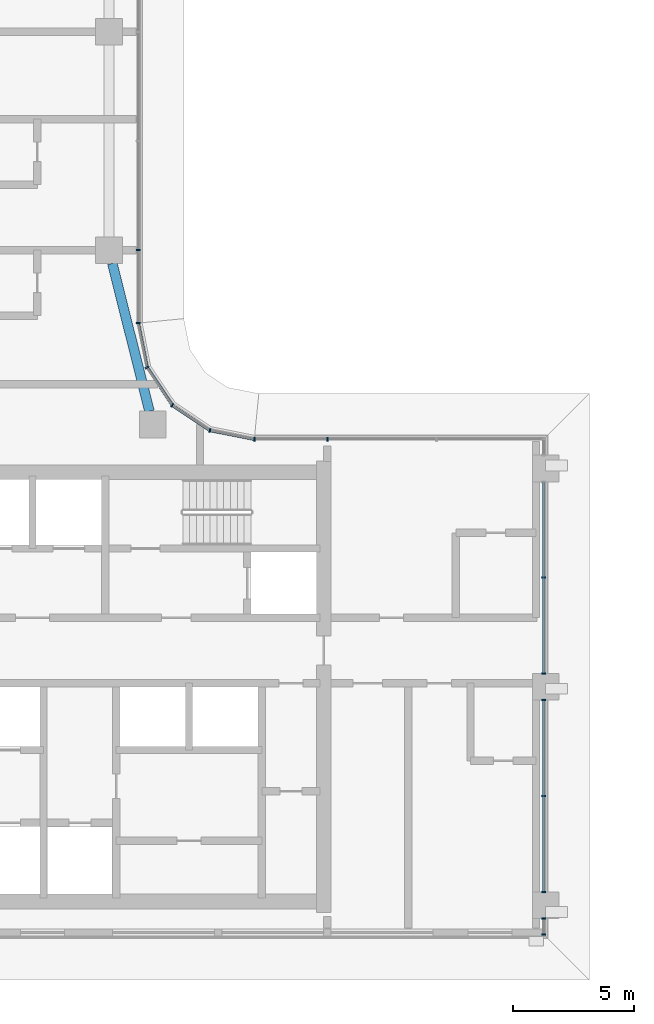
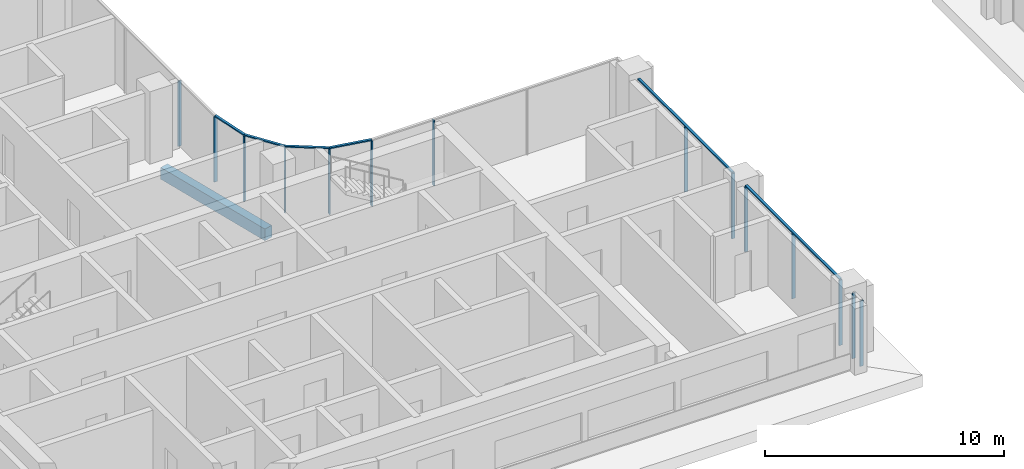
# One storey, part 2 of 27: 20 members, 1 beam, 6 elements without a shape of their own.
"""IFC4 building model written with IfcOpenShell, lengths in metres."""

import ifcopenshell
import ifcopenshell.guid

model = None  # the IFC model being written
_history = None  # IfcOwnerHistory: only IFC2X3 demands one
_inside = {}  # id of a spatial element -> (the spatial element, [elements in it])
_under = {}  # id of a project, library or spatial element -> (it, [spatial elements below it])
_declared = {}  # id of a project -> (the project, [libraries it declares])
_typed = {}  # id of a type object -> (the type object, [elements of that type])
_made_of = {}  # id of a material, layer set ... -> (it, [elements and type objects made of it])


def new_model(schema):
    """Start an empty IFC model of exactly this schema.

    Asked for "IFC4X3", IfcOpenShell would pick the latest addendum, in which some entities
    have other attributes; the version numbers below select the first issue.
    IFC2X3 requires an IfcOwnerHistory on every rooted entity: one is made here for all.
    """
    global model, _history
    if schema == "IFC4X3":
        model = ifcopenshell.file(schema_version=(4, 3, 0, 0))
    else:
        model = ifcopenshell.file(schema=schema)
    _inside.clear()
    _under.clear()
    _declared.clear()
    _typed.clear()
    _made_of.clear()
    _history = None
    if model.schema == "IFC2X3":
        org = make("IfcOrganization", Name="unknown")
        user = make(
            "IfcPersonAndOrganization",
            ThePerson=make("IfcPerson", FamilyName="unknown"),
            TheOrganization=org,
        )
        app = make(
            "IfcApplication",
            ApplicationDeveloper=org,
            Version="unknown",
            ApplicationFullName="unknown",
            ApplicationIdentifier="unknown",
        )
        _history = make(
            "IfcOwnerHistory",
            OwningUser=user,
            OwningApplication=app,
            ChangeAction="ADDED",
            CreationDate=0,
        )
    return model


def make(cls, **values):
    """One entity of the class cls with the attributes given. An attribute that is None is left unset."""
    return model.create_entity(
        cls, **{name: value for name, value in values.items() if value is not None}
    )


def rooted(cls, **values):
    """An entity with a GlobalId (a new one), such as an element, a storey or a relation."""
    return make(cls, GlobalId=ifcopenshell.guid.new(), OwnerHistory=_history, **values)


def si_unit(unit_type, name, prefix=None):
    """IfcSIUnit, for example si_unit("LENGTHUNIT", "METRE", prefix="MILLI")."""
    return make("IfcSIUnit", UnitType=unit_type, Prefix=prefix, Name=name)


def assignment(units):
    """IfcUnitAssignment: the units of a project."""
    return None if units is None else make("IfcUnitAssignment", Units=units)


def point(xyz):
    """IfcCartesianPoint."""
    return None if xyz is None else make("IfcCartesianPoint", Coordinates=xyz)


def direction(xyz):
    """IfcDirection."""
    return None if xyz is None else make("IfcDirection", DirectionRatios=xyz)


def frame(location, z_axis=None, x_axis=None):
    """IfcAxis2Placement3D, a coordinate frame: its origin and axes. An axis left out is left unset."""
    return make(
        "IfcAxis2Placement3D",
        Location=point(location),
        Axis=direction(z_axis),
        RefDirection=direction(x_axis),
    )


def frame_2d(location, x_axis=None):
    """IfcAxis2Placement2D, a coordinate frame in the plane: its origin and x axis."""
    return make(
        "IfcAxis2Placement2D", Location=point(location), RefDirection=direction(x_axis)
    )


def origin():
    """The frame at (0, 0, 0) with its axes left unset."""
    return frame((0.0, 0.0, 0.0))


def origin_2d():
    """The frame at (0, 0) in the plane with its x axis left unset."""
    return frame_2d((0.0, 0.0))


def place(relative_to, where):
    """IfcLocalPlacement: puts the frame where relative to a parent placement (None: the world)."""
    return make(
        "IfcLocalPlacement", PlacementRelTo=relative_to, RelativePlacement=where
    )


def context(
    kind, dimensions, precision=None, world=None, true_north=None, identifier=None
):
    """IfcGeometricRepresentationContext, for example the 3D "Model" context."""
    return make(
        "IfcGeometricRepresentationContext",
        ContextIdentifier=identifier,
        ContextType=kind,
        CoordinateSpaceDimension=dimensions,
        Precision=precision,
        WorldCoordinateSystem=world,
        TrueNorth=true_north,
    )


def subcontext(parent, identifier, kind, view, scale=None):
    """IfcGeometricRepresentationSubContext, for example "Body" below "Model"."""
    return make(
        "IfcGeometricRepresentationSubContext",
        ContextIdentifier=identifier,
        ContextType=kind,
        ParentContext=parent,
        TargetScale=scale,
        TargetView=view,
    )


def project(units=None, contexts=None):
    """IfcProject with its units and contexts."""
    return rooted(
        "IfcProject",
        Name="project",
        RepresentationContexts=contexts,
        UnitsInContext=assignment(units),
    )


def spatial(cls, under=None, at=None, **own):
    """A site, building, storey or space (cls), placed at a placement, below another one or the project."""
    s = rooted(cls, ObjectPlacement=at, **own)
    if under is not None:
        _under.setdefault(under.id(), (under, []))[1].append(s)
    return s


def profile(cls, at=None, kind="AREA", **sizes):
    """A parametric profile (cls). Its sizes go by their IFC names, for example OverallWidth=200.0."""
    return make(cls, ProfileType=kind, Position=at, **sizes)


def rectangle(**sizes):
    """IfcRectangleProfileDef."""
    return profile("IfcRectangleProfileDef", **sizes)


def extrude(swept, where, along, depth):
    """IfcExtrudedAreaSolid: the profile swept, set in the frame where, extruded along a direction by depth."""
    return make(
        "IfcExtrudedAreaSolid",
        SweptArea=swept,
        Position=where,
        ExtrudedDirection=direction(along),
        Depth=depth,
    )


def shape(context_of_items, identifier, shape_type, items):
    """IfcShapeRepresentation: the items that make up one representation, for example the "Body"."""
    return make(
        "IfcShapeRepresentation",
        ContextOfItems=context_of_items,
        RepresentationIdentifier=identifier,
        RepresentationType=shape_type,
        Items=items,
    )


def material(Name=None, Category=None):
    """IfcMaterial."""
    return make("IfcMaterial", Name=Name, Category=Category)


def material_profile(
    of_material, cross_section, Name=None, Category=None, Priority=None
):
    """IfcMaterialProfile: a cross section and its material."""
    return make(
        "IfcMaterialProfile",
        Name=Name,
        Material=of_material,
        Profile=cross_section,
        Priority=Priority,
        Category=Category,
    )


def profile_set(profiles, Name=None, composite=None):
    """IfcMaterialProfileSet."""
    return make(
        "IfcMaterialProfileSet",
        Name=Name,
        MaterialProfiles=profiles,
        CompositeProfile=composite,
    )


def made_of(thing, what):
    """Note that an element or type object is made of a material, layer set ...; save() writes the relation."""
    if what is not None:
        _made_of.setdefault(what.id(), (what, []))[1].append(thing)
    return thing


def type_object(cls, material=None, **own):
    """A type object (cls), such as IfcWallType, which elements share."""
    return made_of(rooted(cls, **own), material)


def element(
    cls,
    number,
    at=None,
    inside=None,
    cuts=None,
    type_object=None,
    material=None,
    context=None,
    identifier="Body",
    shape_type=None,
    held_by="IfcProductDefinitionShape",
    body=None,
    shapes=None,
    **own,
):
    """One element of the class cls, such as IfcWall. Its Tag is "e" and its number.

    at: its placement. inside: the storey or other place that contains it. cuts: it is an
    opening in that element (IfcRelVoidsElement). A single representation is given by context,
    identifier, shape_type and body (its items); several are given by shapes. held_by: the class
    of the entity that holds the representations. save() writes the other relations.
    """
    e = rooted(cls, Tag="e%d" % number, ObjectPlacement=at, **own)
    if body is not None:
        shapes = [shape(context, identifier, shape_type, body)]
    if shapes is not None:
        e.Representation = make(held_by, Representations=shapes)
    if inside is not None:
        _inside.setdefault(inside.id(), (inside, []))[1].append(e)
    if cuts is not None:
        rooted(
            "IfcRelVoidsElement", RelatingBuildingElement=cuts, RelatedOpeningElement=e
        )
    if type_object is not None:
        _typed.setdefault(type_object.id(), (type_object, []))[1].append(e)
    return made_of(e, material)


def aggregate(whole, parts):
    """IfcRelAggregates: a whole, such as a stair, and the parts it consists of."""
    return rooted("IfcRelAggregates", RelatingObject=whole, RelatedObjects=parts)


def save(model, path):
    """Write the relations noted so far, then the file.

    IfcRelAggregates (storeys below a building ...), IfcRelContainedInSpatialStructure (elements
    in a storey), IfcRelDefinesByType, IfcRelAssociatesMaterial and IfcRelDeclares: one each for
    every whole, place, type object, material and project.
    """
    for whole, parts in _under.values():
        aggregate(whole, parts)
    for where, things in _inside.values():
        rooted(
            "IfcRelContainedInSpatialStructure",
            RelatedElements=things,
            RelatingStructure=where,
        )
    for kind, things in _typed.values():
        rooted("IfcRelDefinesByType", RelatedObjects=things, RelatingType=kind)
    for what, things in _made_of.values():
        rooted("IfcRelAssociatesMaterial", RelatedObjects=things, RelatingMaterial=what)
    for by, libraries in _declared.values():
        rooted("IfcRelDeclares", RelatingContext=by, RelatedDefinitions=libraries)
    model.write(path)


model = new_model("IFC4")

# Units and contexts
model_context = context("Model", 3, precision=1e-05, world=origin(), true_north=direction((0.0, 1.0)))
body_context = subcontext(model_context, "Body", "Model", "MODEL_VIEW")
ifc_project = project(units=[si_unit("LENGTHUNIT", "METRE"), si_unit("AREAUNIT", "SQUARE_METRE"), si_unit("VOLUMEUNIT", "CUBIC_METRE"), si_unit("PLANEANGLEUNIT", "RADIAN"), si_unit("MASSUNIT", "GRAM", prefix="KILO")], contexts=[model_context])

# Site, building, storey
site_placement = place(None, origin())
site = spatial("IfcSite", under=ifc_project, at=site_placement, CompositionType="ELEMENT")
building_placement = place(site_placement, origin())
building = spatial("IfcBuilding", under=site, at=building_placement, Name="Ogive Portal Towers", CompositionType="ELEMENT")
storey_placement = place(building_placement, frame((0.0, 0.0, 160.699951171875)))
storey = spatial("IfcBuildingStorey", under=building, at=storey_placement, Name="L39", CompositionType="ELEMENT", Elevation=160.699951171875)

# Curtain wall, members
ifc_material_1 = material(Name="Glass, clear low-iron insulated glazing", Category="glass")
curtain_wall_type_1 = type_object("IfcCurtainWallType", Name="CW PORTAL REVEAL", PredefinedType="NOTDEFINED", material=ifc_material_1)
curtain_wall_1_placement = place(storey_placement, origin())
curtain_wall_1 = element("IfcCurtainWall", 1, at=curtain_wall_1_placement, inside=storey, type_object=curtain_wall_type_1, Name="A:L39:f06:cw0~0", PredefinedType="NOTDEFINED")
ifc_material_2 = material(Name="Aluminium 6063 anodised", Category="aluminium")
ifc_material_profile_1 = material_profile(ifc_material_2, rectangle(XDim=0.159912109375, YDim=0.06005859375, at=origin_2d()), Name="AL 60x160")
ifc_profile_set_1 = profile_set([ifc_material_profile_1], Name="Aluminium 6063 anodised")
member_type_1 = type_object("IfcMemberType", Name="CW MULLION 60x160", PredefinedType="MULLION", material=ifc_profile_set_1)
member_1_placement = place(storey_placement, frame((67.419921875, 20.294921875, 0.0), z_axis=(0.0, 0.0, 1.0), x_axis=(-1.0, 0.0, 0.0)))
member_1 = element("IfcMember", 2, at=member_1_placement, type_object=member_type_1, Name="mullion", PredefinedType="MULLION", context=body_context, shape_type="SweptSolid", body=[
    extrude(rectangle(XDim=0.159912109375, YDim=0.06005859375, at=origin_2d()), origin(), (0.0, 0.0, 1.0), 3.340087890625),
])
member_2_placement = place(storey_placement, frame((67.419921875, 20.949951171875, 0.0), z_axis=(0.0, 0.0, 1.0), x_axis=(-1.0, 0.0, 0.0)))
member_2 = element("IfcMember", 3, at=member_2_placement, type_object=member_type_1, Name="mullion", PredefinedType="MULLION", context=body_context, shape_type="SweptSolid", body=[
    extrude(rectangle(XDim=0.159912109375, YDim=0.06005859375, at=origin_2d()), origin(), (0.0, 0.0, 1.0), 3.340087890625),
])
aggregate(curtain_wall_1, [member_1, member_2])

curtain_wall_2_placement = place(storey_placement, origin())
curtain_wall_2 = element("IfcCurtainWall", 4, at=curtain_wall_2_placement, inside=storey, type_object=curtain_wall_type_1, Name="A:L39:f06:cw0~1", PredefinedType="NOTDEFINED")
member_3_placement = place(storey_placement, frame((67.419921875, 22.050048828125, 0.0), z_axis=(0.0, 0.0, 1.0), x_axis=(-1.0, 0.0, 0.0)))
member_3 = element("IfcMember", 5, at=member_3_placement, type_object=member_type_1, Name="mullion", PredefinedType="MULLION", context=body_context, shape_type="SweptSolid", body=[
    extrude(rectangle(XDim=0.159912109375, YDim=0.06005859375, at=origin_2d()), origin(), (0.0, 0.0, 1.0), 3.340087890625),
])
member_4_placement = place(storey_placement, frame((67.419921875, 26.0, 0.0), z_axis=(0.0, 0.0, 1.0), x_axis=(-1.0, 0.0, 0.0)))
member_4 = element("IfcMember", 6, at=member_4_placement, type_object=member_type_1, Name="mullion", PredefinedType="MULLION", context=body_context, shape_type="SweptSolid", body=[
    extrude(rectangle(XDim=0.159912109375, YDim=0.06005859375, at=origin_2d()), origin(), (0.0, 0.0, 1.0), 3.340087890625),
])
member_5_placement = place(storey_placement, frame((67.419921875, 29.949951171875, 0.0), z_axis=(0.0, 0.0, 1.0), x_axis=(-1.0, 0.0, 0.0)))
member_5 = element("IfcMember", 7, at=member_5_placement, type_object=member_type_1, Name="mullion", PredefinedType="MULLION", context=body_context, shape_type="SweptSolid", body=[
    extrude(rectangle(XDim=0.159912109375, YDim=0.06005859375, at=origin_2d()), origin(), (0.0, 0.0, 1.0), 3.340087890625),
])

curtain_wall_3_placement = place(storey_placement, origin())
curtain_wall_3 = element("IfcCurtainWall", 8, at=curtain_wall_3_placement, inside=storey, type_object=curtain_wall_type_1, Name="A:L39:f06:cw0~2", PredefinedType="NOTDEFINED")
member_6_placement = place(storey_placement, frame((67.419921875, 31.050048828125, 0.0), z_axis=(0.0, 0.0, 1.0), x_axis=(-1.0, 0.0, 0.0)))
member_6 = element("IfcMember", 9, at=member_6_placement, type_object=member_type_1, Name="mullion", PredefinedType="MULLION", context=body_context, shape_type="SweptSolid", body=[
    extrude(rectangle(XDim=0.159912109375, YDim=0.06005859375, at=origin_2d()), origin(), (0.0, 0.0, 1.0), 3.340087890625),
])
member_7_placement = place(storey_placement, frame((67.419921875, 35.0, 0.0), z_axis=(0.0, 0.0, 1.0), x_axis=(-1.0, 0.0, 0.0)))
member_7 = element("IfcMember", 10, at=member_7_placement, type_object=member_type_1, Name="mullion", PredefinedType="MULLION", context=body_context, shape_type="SweptSolid", body=[
    extrude(rectangle(XDim=0.159912109375, YDim=0.06005859375, at=origin_2d()), origin(), (0.0, 0.0, 1.0), 3.340087890625),
])

curtain_wall_type_2 = type_object("IfcCurtainWallType", Name="CW FRONT RIBBON 4500", PredefinedType="NOTDEFINED", material=ifc_material_1)
curtain_wall_4_placement = place(storey_placement, origin())
curtain_wall_4 = element("IfcCurtainWall", 11, at=curtain_wall_4_placement, inside=storey, type_object=curtain_wall_type_2, Name="A:L39:f07:cw0", PredefinedType="NOTDEFINED")
member_8_placement = place(storey_placement, frame((58.5, 40.705078125, 0.0), z_axis=(0.0, 0.0, 1.0), x_axis=(0.0, -1.0, 0.0)))
member_8 = element("IfcMember", 12, at=member_8_placement, type_object=member_type_1, Name="mullion", PredefinedType="MULLION", context=body_context, shape_type="SweptSolid", body=[
    extrude(rectangle(XDim=0.159912109375, YDim=0.06005859375, at=origin_2d()), origin(), (0.0, 0.0, 1.0), 3.340087890625),
])
member_9_placement = place(storey_placement, frame((55.4921875, 40.705078125, 0.0), z_axis=(0.0, 0.0, 1.0), x_axis=(0.0, -1.0, 0.0)))
member_9 = element("IfcMember", 13, at=member_9_placement, type_object=member_type_1, Name="mullion", PredefinedType="MULLION", context=body_context, shape_type="SweptSolid", body=[
    extrude(rectangle(XDim=0.159912109375, YDim=0.06005859375, at=origin_2d()), origin(), (0.0, 0.0, 1.0), 3.340087890625),
])
aggregate(curtain_wall_4, [member_8, member_9])

curtain_wall_5_placement = place(storey_placement, origin())
curtain_wall_5 = element("IfcCurtainWall", 14, at=curtain_wall_5_placement, inside=storey, type_object=curtain_wall_type_2, Name="A:L39:f12:cw0", PredefinedType="NOTDEFINED")
member_10_placement = place(storey_placement, frame((50.705078125, 45.4921875, 0.0), z_axis=(0.0, 0.0, 1.0), x_axis=(-1.0, 0.0, 0.0)))
member_10 = element("IfcMember", 15, at=member_10_placement, type_object=member_type_1, Name="mullion", PredefinedType="MULLION", context=body_context, shape_type="SweptSolid", body=[
    extrude(rectangle(XDim=0.159912109375, YDim=0.06005859375, at=origin_2d()), origin(), (0.0, 0.0, 1.0), 3.340087890625),
])
member_11_placement = place(storey_placement, frame((50.705078125, 48.5, 0.0), z_axis=(0.0, 0.0, 1.0), x_axis=(-1.0, 0.0, 0.0)))
member_11 = element("IfcMember", 16, at=member_11_placement, type_object=member_type_1, Name="mullion", PredefinedType="MULLION", context=body_context, shape_type="SweptSolid", body=[
    extrude(rectangle(XDim=0.159912109375, YDim=0.06005859375, at=origin_2d()), origin(), (0.0, 0.0, 1.0), 3.340087890625),
])
aggregate(curtain_wall_5, [member_10, member_11])

curtain_wall_6_placement = place(storey_placement, origin())
curtain_wall_6 = element("IfcCurtainWall", 17, at=curtain_wall_6_placement, inside=storey, type_object=curtain_wall_type_2, Name="A:L39:f08:cwa", PredefinedType="NOTDEFINED")
member_12_placement = place(storey_placement, frame((53.66455078125, 41.068603515625, 0.0), z_axis=(0.0, 0.0, 1.0), x_axis=(-0.195090322016, -0.980785280403, 0.0)))
member_12 = element("IfcMember", 18, at=member_12_placement, type_object=member_type_1, Name="mullion", PredefinedType="MULLION", context=body_context, shape_type="SweptSolid", body=[
    extrude(rectangle(XDim=0.159912109375, YDim=0.06005859375, at=origin_2d()), origin(), (0.0, 0.0, 1.0), 3.340087890625),
])
member_13_placement = place(storey_placement, frame((52.1083984375, 42.1083984375, 0.0), z_axis=(0.0, 0.0, 1.0), x_axis=(-0.55557023302, -0.831469612303, 0.0)))
member_13 = element("IfcMember", 19, at=member_13_placement, type_object=member_type_1, Name="mullion", PredefinedType="MULLION", context=body_context, shape_type="SweptSolid", body=[
    extrude(rectangle(XDim=0.159912109375, YDim=0.06005859375, at=origin_2d()), origin(), (0.0, 0.0, 1.0), 3.340087890625),
])
member_14_placement = place(storey_placement, frame((51.068603515625, 43.66455078125, 0.0), z_axis=(0.0, 0.0, 1.0), x_axis=(-0.831469612303, -0.55557023302, 0.0)))
member_14 = element("IfcMember", 20, at=member_14_placement, type_object=member_type_1, Name="mullion", PredefinedType="MULLION", context=body_context, shape_type="SweptSolid", body=[
    extrude(rectangle(XDim=0.159912109375, YDim=0.06005859375, at=origin_2d()), origin(), (0.0, 0.0, 1.0), 3.340087890625),
])

# Member
ifc_material_profile_2 = material_profile(ifc_material_2, rectangle(XDim=0.1201171875, YDim=0.06005859375, at=origin_2d()), Name="AL 120x60")
ifc_profile_set_2 = profile_set([ifc_material_profile_2], Name="Aluminium 6063 anodised")
member_type_2 = type_object("IfcMemberType", Name="CW TRANSOM 60x120", PredefinedType="USERDEFINED", material=ifc_profile_set_2)
member_15_placement = place(storey_placement, frame((67.419921875, 22.050048828125, 3.3701171875), z_axis=(0.0, 1.0, 0.0), x_axis=(-1.0, 0.0, 0.0)))
member_15 = element("IfcMember", 21, at=member_15_placement, type_object=member_type_2, Name="transom", ObjectType="TRANSOM", PredefinedType="USERDEFINED", context=body_context, shape_type="SweptSolid", body=[
    extrude(rectangle(XDim=0.1201171875, YDim=0.06005859375, at=origin_2d()), origin(), (0.0, 0.0, 1.0), 7.89990234375),
])

aggregate(curtain_wall_2, [member_15, member_3, member_4, member_5])

member_16_placement = place(storey_placement, frame((67.419921875, 31.050048828125, 3.3701171875), z_axis=(0.0, 1.0, 0.0), x_axis=(-1.0, 0.0, 0.0)))
member_16 = element("IfcMember", 22, at=member_16_placement, type_object=member_type_2, Name="transom", ObjectType="TRANSOM", PredefinedType="USERDEFINED", context=body_context, shape_type="SweptSolid", body=[
    extrude(rectangle(XDim=0.1201171875, YDim=0.06005859375, at=origin_2d()), origin(), (0.0, 0.0, 1.0), 7.89990234375),
])

aggregate(curtain_wall_3, [member_16, member_6, member_7])

member_17_placement = place(storey_placement, frame((55.4921875, 40.705078125, 3.3701171875), z_axis=(-0.980786733923, 0.195083014535, 0.0), x_axis=(-0.195083014535, -0.980786733923, 0.0)))
member_17 = element("IfcMember", 23, at=member_17_placement, type_object=member_type_2, Name="transom", ObjectType="TRANSOM", PredefinedType="USERDEFINED", context=body_context, shape_type="SweptSolid", body=[
    extrude(rectangle(XDim=0.1201171875, YDim=0.06005859375, at=origin_2d()), origin(), (0.0, 0.0, 1.0), 1.863525390625),
])

member_18_placement = place(storey_placement, frame((53.66455078125, 41.068603515625, 3.3701171875), z_axis=(-0.831467842992, 0.55557288097, 0.0), x_axis=(-0.55557288097, -0.831467842992, 0.0)))
member_18 = element("IfcMember", 24, at=member_18_placement, type_object=member_type_2, Name="transom", ObjectType="TRANSOM", PredefinedType="USERDEFINED", context=body_context, shape_type="SweptSolid", body=[
    extrude(rectangle(XDim=0.1201171875, YDim=0.06005859375, at=origin_2d()), origin(), (0.0, 0.0, 1.0), 1.87158203125),
])

member_19_placement = place(storey_placement, frame((52.1083984375, 42.1083984375, 3.3701171875), z_axis=(-0.55557288097, 0.831467842992, 0.0), x_axis=(-0.831467842992, -0.55557288097, 0.0)))
member_19 = element("IfcMember", 25, at=member_19_placement, type_object=member_type_2, Name="transom", ObjectType="TRANSOM", PredefinedType="USERDEFINED", context=body_context, shape_type="SweptSolid", body=[
    extrude(rectangle(XDim=0.1201171875, YDim=0.06005859375, at=origin_2d()), origin(), (0.0, 0.0, 1.0), 1.87158203125),
])

member_20_placement = place(storey_placement, frame((51.068603515625, 43.66455078125, 3.3701171875), z_axis=(-0.195083014535, 0.980786733923, 0.0), x_axis=(-0.980786733923, -0.195083014535, 0.0)))
member_20 = element("IfcMember", 26, at=member_20_placement, type_object=member_type_2, Name="transom", ObjectType="TRANSOM", PredefinedType="USERDEFINED", context=body_context, shape_type="SweptSolid", body=[
    extrude(rectangle(XDim=0.1201171875, YDim=0.06005859375, at=origin_2d()), origin(), (0.0, 0.0, 1.0), 1.863525390625),
])

aggregate(curtain_wall_6, [member_17, member_18, member_19, member_20, member_12, member_13, member_14])

# Beam
ifc_material_3 = material(Name="Concrete C40/50", Category="concrete")
ifc_material_profile_3 = material_profile(ifc_material_3, rectangle(XDim=0.39990234375, YDim=0.60009765625, at=origin_2d()), Name="RC 400x600")
ifc_profile_set_3 = profile_set([ifc_material_profile_3], Name="Concrete C40/50")
beam_type = type_object("IfcBeamType", Name="SPANDREL BEAM RC 400x600", PredefinedType="BEAM", material=ifc_profile_set_3)
beam_placement = place(storey_placement, frame((49.638427734375, 47.949951171875, -0.599853515625), z_axis=(0.244108681121, -0.969747880535, 0.0), x_axis=(0.969747880535, 0.244108681121, 0.0)))
element("IfcBeam", 27, at=beam_placement, inside=storey, type_object=beam_type, Name="Spandrel beam L39", PredefinedType="BEAM", context=body_context, shape_type="SweptSolid", body=[
    extrude(rectangle(XDim=0.39990234375, YDim=0.60009765625, at=origin_2d()), origin(), (0.0, 0.0, 1.0), 6.27978515625),
])

save(model, "model.ifc")
